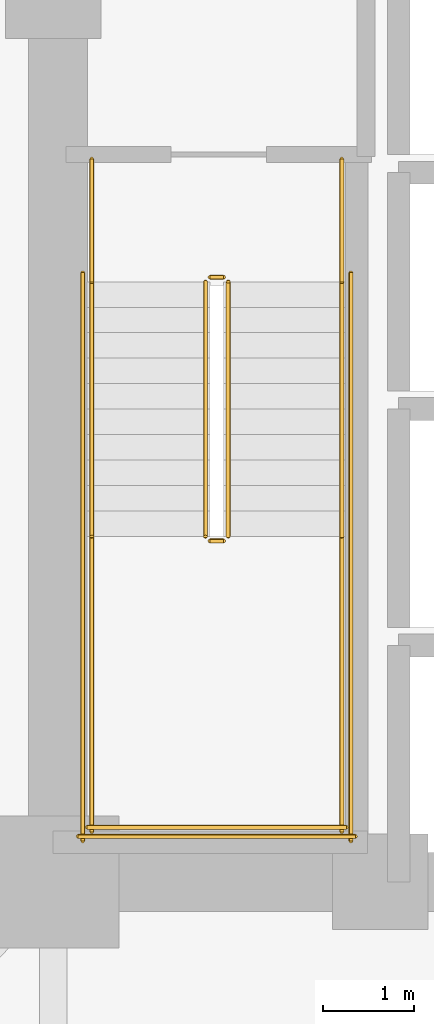
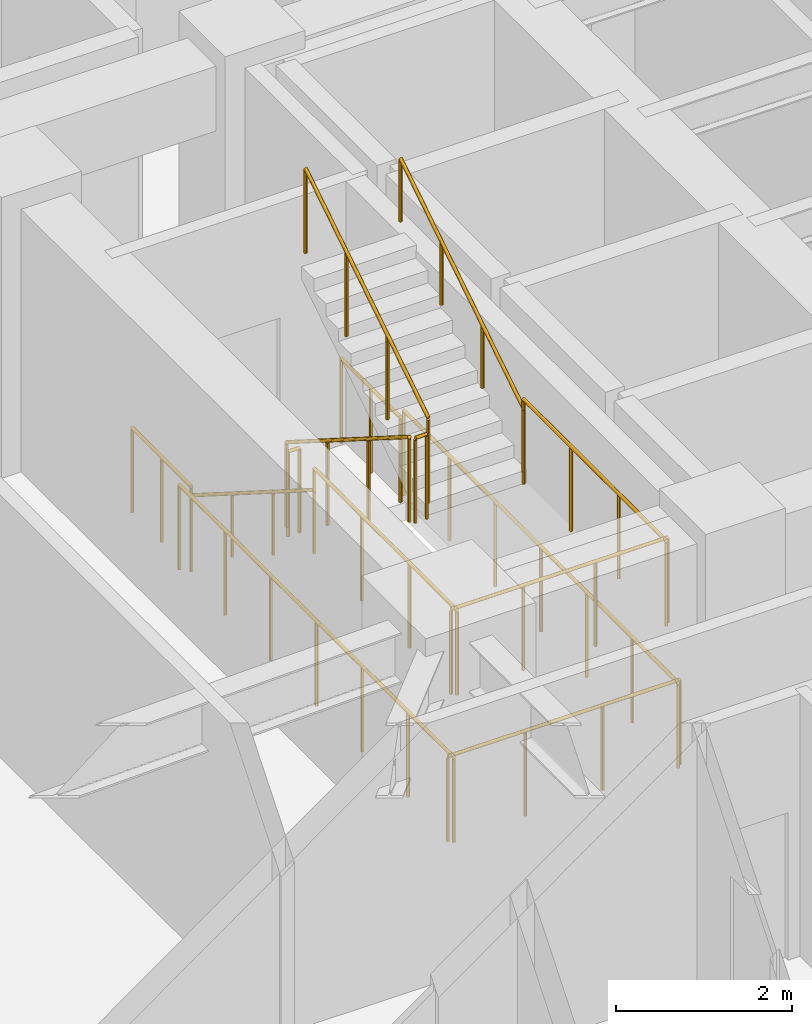
# One storey, part 27 of 28: 14 railings.
"""IFC4 building model written with IfcOpenShell, lengths in metres."""

from ifc_helpers import new_model, si_unit, direction, frame, origin, origin_2d, place, context, subcontext, project, spatial, circle, extrude, material, type_object, element, save


model = new_model("IFC4")

# Units and contexts
model_context = context("Model", 3, precision=1e-05, world=origin(), true_north=direction((0.0, 1.0)))
body_context = subcontext(model_context, "Body", "Model", "MODEL_VIEW")
ifc_project = project(units=[si_unit("LENGTHUNIT", "METRE"), si_unit("AREAUNIT", "SQUARE_METRE"), si_unit("VOLUMEUNIT", "CUBIC_METRE"), si_unit("PLANEANGLEUNIT", "RADIAN"), si_unit("MASSUNIT", "GRAM", prefix="KILO")], contexts=[model_context])

# Site, building, storey
site_placement = place(None, origin())
site = spatial("IfcSite", under=ifc_project, at=site_placement, CompositionType="ELEMENT")
building_placement = place(site_placement, origin())
building = spatial("IfcBuilding", under=site, at=building_placement, Name="Voryun Gate Residences", CompositionType="ELEMENT")
storey_placement = place(building_placement, frame((0.0, 0.0, 61.10009765625)))
storey = spatial("IfcBuildingStorey", under=building, at=storey_placement, Name="L14", CompositionType="ELEMENT", Elevation=61.10009765625)

# Railings
ifc_material_1 = material(Name="Painted steel", Category="steel")
railing_type_1 = type_object("IfcRailingType", Name="RAIL_STAIR_GUARD_1200", PredefinedType="GUARDRAIL", material=ifc_material_1)
railing_1_placement = place(storey_placement, frame((-17.52490234375, -0.800048828125, 0.17724609375)))
element("IfcRailing", 1, at=railing_1_placement, inside=storey, type_object=railing_type_1, Name="L14 ST-W1 stair guard 1", PredefinedType="GUARDRAIL", context=body_context, shape_type="SweptSolid", body=[
    extrude(circle(Radius=0.02392578125, at=origin_2d()), frame((0.0, 0.0, 1.17578125), z_axis=(0.0, -0.844908973607, 0.534910110503), x_axis=(1.0, 0.0, 0.0)), (0.0, 0.0, 1.0), 3.31396484375),
    extrude(circle(Radius=0.02099609375, at=origin_2d()), origin(), (0.0, 0.0, 1.0), 1.15185546875),
    extrude(circle(Radius=0.02099609375, at=origin_2d()), frame((0.0, -0.933349609375, 0.5908203125)), (0.0, 0.0, 1.0), 1.15185546875),
    extrude(circle(Radius=0.02099609375, at=origin_2d()), frame((0.0, -1.86669921875, 1.181884765625)), (0.0, 0.0, 1.0), 1.15185546875),
    extrude(circle(Radius=0.02099609375, at=origin_2d()), frame((0.0, -2.800048828125, 1.772705078125)), (0.0, 0.0, 1.0), 1.15185546875),
])
railing_2_placement = place(storey_placement, frame((-17.47509765625, -3.64990234375, 1.949951171875)))
element("IfcRailing", 2, at=railing_2_placement, inside=storey, type_object=railing_type_1, Name="L14 ST-W1 stair guard 2", PredefinedType="GUARDRAIL", context=body_context, shape_type="SweptSolid", body=[
    extrude(circle(Radius=0.02392578125, at=origin_2d()), frame((0.0, 0.0, 1.17578125), z_axis=(1.0, 0.0, 0.0), x_axis=(0.0, 1.0, 0.0)), (0.0, 0.0, 1.0), 0.150146484375),
    extrude(circle(Radius=0.02099609375, at=origin_2d()), origin(), (0.0, 0.0, 1.0), 1.15185546875),
    extrude(circle(Radius=0.02099609375, at=origin_2d()), frame((0.150146484375, 0.0, 0.0)), (0.0, 0.0, 1.0), 1.15185546875),
])
for number, where, name in (
    (3, (-18.77490234375, -3.60009765625, 1.949951171875), "L14 ST-W1 stair guard 3"),
    (4, (-16.02490234375, -3.60009765625, 1.949951171875), "L14 ST-W1 stair guard 4"),
):
    element("IfcRailing", number, at=place(storey_placement, frame(where)), inside=storey, type_object=railing_type_1, Name=name, PredefinedType="GUARDRAIL", context=body_context, shape_type="SweptSolid", body=[
        extrude(circle(Radius=0.02392578125, at=origin_2d()), frame((0.0, 0.0, 1.17578125), z_axis=(0.0, -1.0, 0.0), x_axis=(1.0, 0.0, 0.0)), (0.0, 0.0, 1.0), 3.25),
        extrude(circle(Radius=0.02099609375, at=origin_2d()), origin(), (0.0, 0.0, 1.0), 1.15185546875),
        extrude(circle(Radius=0.02099609375, at=origin_2d()), frame((0.0, -1.083251953125, 0.0)), (0.0, 0.0, 1.0), 1.15185546875),
        extrude(circle(Radius=0.02099609375, at=origin_2d()), frame((0.0, -2.166748046875, 0.0)), (0.0, 0.0, 1.0), 1.15185546875),
        extrude(circle(Radius=0.02099609375, at=origin_2d()), frame((0.0, -3.25, 0.0)), (0.0, 0.0, 1.0), 1.15185546875),
    ])
railing_3_placement = place(storey_placement, frame((-18.824951171875, -6.800048828125, 1.949951171875)))
element("IfcRailing", 5, at=railing_3_placement, inside=storey, type_object=railing_type_1, Name="L14 ST-W1 stair guard 5", PredefinedType="GUARDRAIL", context=body_context, shape_type="SweptSolid", body=[
    extrude(circle(Radius=0.02392578125, at=origin_2d()), frame((0.0, 0.0, 1.17578125), z_axis=(1.0, 0.0, 0.0), x_axis=(0.0, 1.0, 0.0)), (0.0, 0.0, 1.0), 2.849853515625),
    extrude(circle(Radius=0.02099609375, at=origin_2d()), origin(), (0.0, 0.0, 1.0), 1.15185546875),
    extrude(circle(Radius=0.02099609375, at=origin_2d()), frame((0.949951171875, 0.0, 0.0)), (0.0, 0.0, 1.0), 1.15185546875),
    extrude(circle(Radius=0.02099609375, at=origin_2d()), frame((1.89990234375, 0.0, 0.0)), (0.0, 0.0, 1.0), 1.15185546875),
    extrude(circle(Radius=0.02099609375, at=origin_2d()), frame((2.849853515625, 0.0, 0.0)), (0.0, 0.0, 1.0), 1.15185546875),
])
railing_4_placement = place(storey_placement, frame((-17.27490234375, -3.60009765625, 2.127197265625)))
element("IfcRailing", 6, at=railing_4_placement, inside=storey, type_object=railing_type_1, Name="L14 ST-W1 stair guard 6", PredefinedType="GUARDRAIL", context=body_context, shape_type="SweptSolid", body=[
    extrude(circle(Radius=0.02392578125, at=origin_2d()), frame((0.0, 0.0, 1.17578125), z_axis=(0.0, 0.844908973607, 0.534910110503), x_axis=(-1.0, 0.0, 0.0)), (0.0, 0.0, 1.0), 3.31396484375),
    extrude(circle(Radius=0.02099609375, at=origin_2d()), origin(), (0.0, 0.0, 1.0), 1.15185546875),
    extrude(circle(Radius=0.02099609375, at=origin_2d()), frame((0.0, 0.933349609375, 0.5908203125)), (0.0, 0.0, 1.0), 1.15185546875),
    extrude(circle(Radius=0.02099609375, at=origin_2d()), frame((0.0, 1.86669921875, 1.181884765625)), (0.0, 0.0, 1.0), 1.15185546875),
    extrude(circle(Radius=0.02099609375, at=origin_2d()), frame((0.0, 2.800048828125, 1.772705078125)), (0.0, 0.0, 1.0), 1.15185546875),
])
railing_5_placement = place(storey_placement, frame((-17.47509765625, -0.75, 0.0)))
element("IfcRailing", 7, at=railing_5_placement, inside=storey, type_object=railing_type_1, Name="L14 ST-W1 stair guard 7", PredefinedType="GUARDRAIL", context=body_context, shape_type="SweptSolid", body=[
    extrude(circle(Radius=0.02392578125, at=origin_2d()), frame((0.0, 0.0, 1.17578125), z_axis=(1.0, 0.0, 0.0), x_axis=(0.0, 1.0, 0.0)), (0.0, 0.0, 1.0), 0.150146484375),
    extrude(circle(Radius=0.02099609375, at=origin_2d()), origin(), (0.0, 0.0, 1.0), 1.15185546875),
    extrude(circle(Radius=0.02099609375, at=origin_2d()), frame((0.150146484375, 0.0, 0.0)), (0.0, 0.0, 1.0), 1.15185546875),
])
for number, where, name in (
    (8, (-18.77490234375, 0.550048828125, 0.0), "L14 ST-W1 stair guard 8"),
    (9, (-16.02490234375, 0.550048828125, 0.0), "L14 ST-W1 stair guard 9"),
):
    element("IfcRailing", number, at=place(storey_placement, frame(where)), inside=storey, type_object=railing_type_1, Name=name, PredefinedType="GUARDRAIL", context=body_context, shape_type="SweptSolid", body=[
        extrude(circle(Radius=0.02392578125, at=origin_2d()), frame((0.0, 0.0, 1.17578125), z_axis=(0.0, -1.0, 0.0), x_axis=(1.0, 0.0, 0.0)), (0.0, 0.0, 1.0), 1.35009765625),
        extrude(circle(Radius=0.02099609375, at=origin_2d()), origin(), (0.0, 0.0, 1.0), 1.15185546875),
        extrude(circle(Radius=0.02099609375, at=origin_2d()), frame((0.0, -0.675048828125, 0.0)), (0.0, 0.0, 1.0), 1.15185546875),
        extrude(circle(Radius=0.02099609375, at=origin_2d()), frame((0.0, -1.35009765625, 0.0)), (0.0, 0.0, 1.0), 1.15185546875),
    ])
for number, where, name in (
    (10, (-18.875, -0.699951171875, 0.0), "L14 ST-W1 stair guard 10"),
    (11, (-15.925048828125, -0.699951171875, 0.0), "L14 ST-W1 stair guard 11"),
):
    element("IfcRailing", number, at=place(storey_placement, frame(where)), inside=storey, type_object=railing_type_1, Name=name, PredefinedType="GUARDRAIL", context=body_context, shape_type="SweptSolid", body=[
        extrude(circle(Radius=0.02392578125, at=origin_2d()), frame((0.0, 0.0, 1.17578125), z_axis=(0.0, -1.0, 0.0), x_axis=(1.0, 0.0, 0.0)), (0.0, 0.0, 1.0), 6.25),
        extrude(circle(Radius=0.02099609375, at=origin_2d()), origin(), (0.0, 0.0, 1.0), 1.15185546875),
        extrude(circle(Radius=0.02099609375, at=origin_2d()), frame((0.0, -1.041748046875, 0.0)), (0.0, 0.0, 1.0), 1.15185546875),
        extrude(circle(Radius=0.02099609375, at=origin_2d()), frame((0.0, -2.083251953125, 0.0)), (0.0, 0.0, 1.0), 1.15185546875),
        extrude(circle(Radius=0.02099609375, at=origin_2d()), frame((0.0, -3.125, 0.0)), (0.0, 0.0, 1.0), 1.15185546875),
        extrude(circle(Radius=0.02099609375, at=origin_2d()), frame((0.0, -4.166748046875, 0.0)), (0.0, 0.0, 1.0), 1.15185546875),
        extrude(circle(Radius=0.02099609375, at=origin_2d()), frame((0.0, -5.208251953125, 0.0)), (0.0, 0.0, 1.0), 1.15185546875),
        extrude(circle(Radius=0.02099609375, at=origin_2d()), frame((0.0, -6.25, 0.0)), (0.0, 0.0, 1.0), 1.15185546875),
    ])
railing_6_placement = place(storey_placement, frame((-18.925048828125, -6.89990234375, 0.0)))
element("IfcRailing", 12, at=railing_6_placement, inside=storey, type_object=railing_type_1, Name="L14 ST-W1 stair guard 12", PredefinedType="GUARDRAIL", context=body_context, shape_type="SweptSolid", body=[
    extrude(circle(Radius=0.02392578125, at=origin_2d()), frame((0.0, 0.0, 1.17578125), z_axis=(1.0, 0.0, 0.0), x_axis=(0.0, 1.0, 0.0)), (0.0, 0.0, 1.0), 3.050048828125),
    extrude(circle(Radius=0.02099609375, at=origin_2d()), origin(), (0.0, 0.0, 1.0), 1.15185546875),
    extrude(circle(Radius=0.02099609375, at=origin_2d()), frame((1.0166015625, 0.0, 0.0)), (0.0, 0.0, 1.0), 1.15185546875),
    extrude(circle(Radius=0.02099609375, at=origin_2d()), frame((2.033447265625, 0.0, 0.0)), (0.0, 0.0, 1.0), 1.15185546875),
    extrude(circle(Radius=0.02099609375, at=origin_2d()), frame((3.050048828125, 0.0, 0.0)), (0.0, 0.0, 1.0), 1.15185546875),
])
ifc_material_2 = material(Name="Painted steel", Category="steel")
railing_type_2 = type_object("IfcRailingType", Name="RAIL_STAIR_HANDRAIL_900", PredefinedType="HANDRAIL", material=ifc_material_2)
railing_7_placement = place(storey_placement, frame((-18.77490234375, -0.800048828125, 0.17724609375)))
element("IfcRailing", 13, at=railing_7_placement, inside=storey, type_object=railing_type_2, Name="L14 ST-W1 stair handrail 1", PredefinedType="HANDRAIL", context=body_context, shape_type="SweptSolid", body=[
    extrude(circle(Radius=0.02392578125, at=origin_2d()), frame((0.0, 0.0, 0.8759765625), z_axis=(0.0, -0.844908973607, 0.534910110503), x_axis=(1.0, 0.0, 0.0)), (0.0, 0.0, 1.0), 3.31396484375),
    extrude(circle(Radius=0.02099609375, at=origin_2d()), origin(), (0.0, 0.0, 1.0), 0.851806640625),
    extrude(circle(Radius=0.02099609375, at=origin_2d()), frame((0.0, -0.933349609375, 0.5908203125)), (0.0, 0.0, 1.0), 0.851806640625),
    extrude(circle(Radius=0.02099609375, at=origin_2d()), frame((0.0, -1.86669921875, 1.181884765625)), (0.0, 0.0, 1.0), 0.851806640625),
    extrude(circle(Radius=0.02099609375, at=origin_2d()), frame((0.0, -2.800048828125, 1.772705078125)), (0.0, 0.0, 1.0), 0.851806640625),
])
railing_8_placement = place(storey_placement, frame((-16.02490234375, -3.60009765625, 2.127197265625)))
element("IfcRailing", 14, at=railing_8_placement, inside=storey, type_object=railing_type_2, Name="L14 ST-W1 stair handrail 2", PredefinedType="HANDRAIL", context=body_context, shape_type="SweptSolid", body=[
    extrude(circle(Radius=0.02392578125, at=origin_2d()), frame((0.0, 0.0, 0.8759765625), z_axis=(0.0, 0.844908973607, 0.534910110503), x_axis=(-1.0, 0.0, 0.0)), (0.0, 0.0, 1.0), 3.31396484375),
    extrude(circle(Radius=0.02099609375, at=origin_2d()), origin(), (0.0, 0.0, 1.0), 0.851806640625),
    extrude(circle(Radius=0.02099609375, at=origin_2d()), frame((0.0, 0.933349609375, 0.5908203125)), (0.0, 0.0, 1.0), 0.851806640625),
    extrude(circle(Radius=0.02099609375, at=origin_2d()), frame((0.0, 1.86669921875, 1.181884765625)), (0.0, 0.0, 1.0), 0.851806640625),
    extrude(circle(Radius=0.02099609375, at=origin_2d()), frame((0.0, 2.800048828125, 1.772705078125)), (0.0, 0.0, 1.0), 0.851806640625),
])

save(model, "model.ifc")
